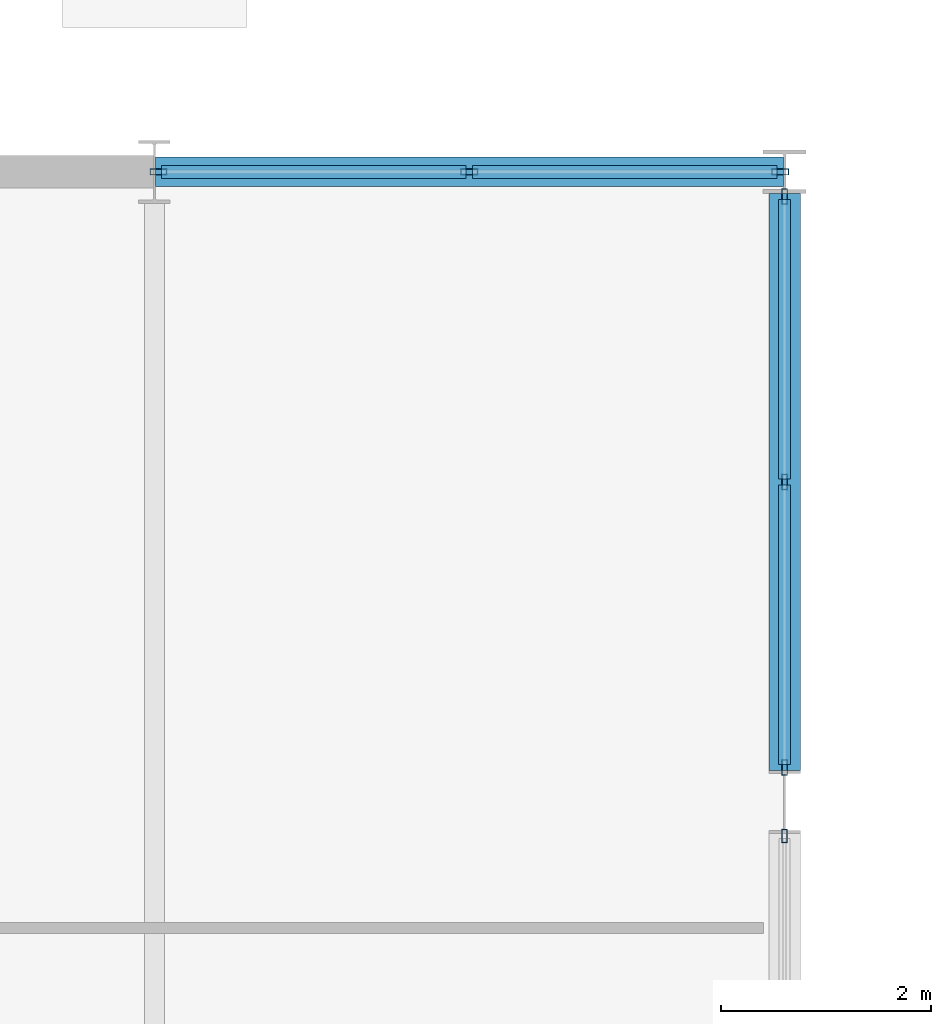
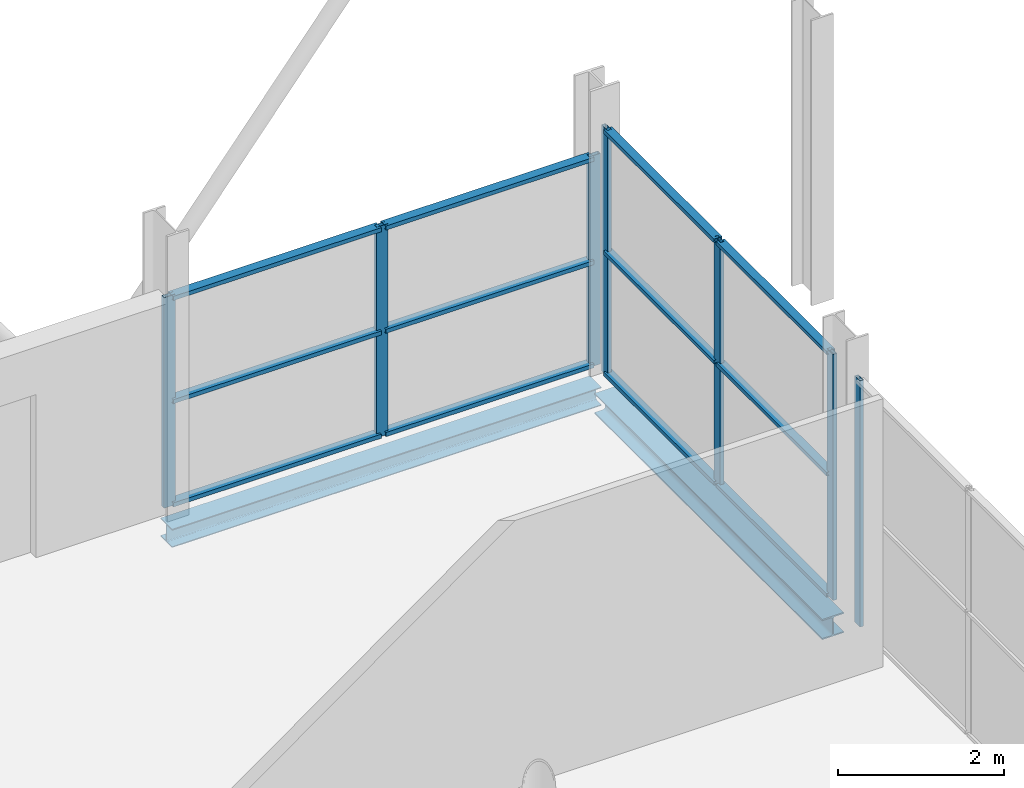
# One storey, part 51 of 140: 19 members, 2 beams, 3 elements without a shape of their own.
"""IFC4 building model written with IfcOpenShell, lengths in metres."""

from ifc_helpers import new_model, si_unit, direction, frame, origin, origin_2d, place, context, subcontext, project, spatial, hollow_rectangle, i_section, extrude, material, layer, layer_set, material_profile, profile_set, type_object, element, aggregate, save


model = new_model("IFC4")

# Units and contexts
model_context = context("Model", 3, precision=1e-05, world=origin(), true_north=direction((0.0, 1.0)))
body_context = subcontext(model_context, "Body", "Model", "MODEL_VIEW")
ifc_project = project(units=[si_unit("LENGTHUNIT", "METRE"), si_unit("AREAUNIT", "SQUARE_METRE"), si_unit("VOLUMEUNIT", "CUBIC_METRE"), si_unit("PLANEANGLEUNIT", "RADIAN"), si_unit("MASSUNIT", "GRAM", prefix="KILO")], contexts=[model_context])

# Site, building, storey
site_placement = place(None, origin())
site = spatial("IfcSite", under=ifc_project, at=site_placement, CompositionType="ELEMENT")
building_placement = place(site_placement, origin())
building = spatial("IfcBuilding", under=site, at=building_placement, Name="Deido Ridge Mobility Hub", CompositionType="ELEMENT")
storey_placement = place(building_placement, origin())
storey = spatial("IfcBuildingStorey", under=building, at=storey_placement, Name="L00", CompositionType="ELEMENT", Elevation=0.0)

# Curtain wall, member
ifc_material_1 = material(Name="Anodised aluminium EN AW-6063 T6", Category="aluminium")
ifc_layer_1 = layer(ifc_material_1, 0.179931640625, Name="Anodised aluminium EN AW-6063 T6")
ifc_layer_set_1 = layer_set([ifc_layer_1], Name="Anodised aluminium EN AW-6063 T6")
curtain_wall_type_1 = type_object("IfcCurtainWallType", Name="CW-UF-2", PredefinedType="USERDEFINED", material=ifc_layer_set_1)
curtain_wall_1_placement = place(storey_placement, origin())
curtain_wall_1 = element("IfcCurtainWall", 1, at=curtain_wall_1_placement, inside=storey, type_object=curtain_wall_type_1, Name="Unitised curtain wall CW2", ObjectType="UNITISED FACADE", PredefinedType="USERDEFINED")
ifc_material_profile_1 = material_profile(ifc_material_1, hollow_rectangle(XDim=0.050048828125, YDim=0.1298828125, WallThickness=0.00390625, at=origin_2d()), Name="RHS 50x130x4")
ifc_profile_set_1 = profile_set([ifc_material_profile_1], Name="Anodised aluminium EN AW-6063 T6")
member_type_1 = type_object("IfcMemberType", Name="MEM-MUL-50X130", PredefinedType="MULLION", material=ifc_profile_set_1)
member_1_placement = place(storey_placement, frame((60.0, 29.675048828125, 0.0), z_axis=(0.0, 0.0, 1.0), x_axis=(-1.0, 0.0, 0.0)))
member_1 = element("IfcMember", 2, at=member_1_placement, type_object=member_type_1, Name="CW2 mullion 3", PredefinedType="MULLION", context=body_context, shape_type="SweptSolid", body=[
    extrude(hollow_rectangle(XDim=0.050048828125, YDim=0.1298828125, WallThickness=0.00390625, at=origin_2d()), origin(), (0.0, 0.0, 1.0), 3.625),
])
aggregate(curtain_wall_1, [member_1])

# Curtain wall, members
ifc_layer_2 = layer(ifc_material_1, 0.195068359375, Name="Anodised aluminium EN AW-6063 T6")
ifc_layer_set_2 = layer_set([ifc_layer_2], Name="Anodised aluminium EN AW-6063 T6")
curtain_wall_type_2 = type_object("IfcCurtainWallType", Name="CW-UF-3", PredefinedType="USERDEFINED", material=ifc_layer_set_2)
curtain_wall_2_placement = place(storey_placement, origin())
curtain_wall_2 = element("IfcCurtainWall", 3, at=curtain_wall_2_placement, inside=storey, type_object=curtain_wall_type_2, Name="Unitised curtain wall CW3", ObjectType="UNITISED FACADE", PredefinedType="USERDEFINED")
ifc_material_profile_2 = material_profile(ifc_material_1, hollow_rectangle(XDim=0.054931640625, YDim=0.14501953125, WallThickness=0.00390625, at=origin_2d()), Name="RHS 55x145x4")
ifc_profile_set_2 = profile_set([ifc_material_profile_2], Name="Anodised aluminium EN AW-6063 T6")
member_type_2 = type_object("IfcMemberType", Name="MEM-MUL-55X145", PredefinedType="MULLION", material=ifc_profile_set_2)
member_2_placement = place(storey_placement, frame((60.0, 30.327392578125, 0.0), z_axis=(0.0, 0.0, 1.0), x_axis=(-1.0, 0.0, 0.0)))
member_2 = element("IfcMember", 4, at=member_2_placement, type_object=member_type_2, Name="CW3 mullion 1", PredefinedType="MULLION", context=body_context, shape_type="SweptSolid", body=[
    extrude(hollow_rectangle(XDim=0.054931640625, YDim=0.14501953125, WallThickness=0.00390625, at=origin_2d()), origin(), (0.0, 0.0, 1.0), 3.625),
])
member_3_placement = place(storey_placement, frame((60.0, 33.0458984375, 0.0), z_axis=(0.0, 0.0, 1.0), x_axis=(-1.0, 0.0, 0.0)))
member_3 = element("IfcMember", 5, at=member_3_placement, type_object=member_type_2, Name="CW3 mullion 2", PredefinedType="MULLION", context=body_context, shape_type="SweptSolid", body=[
    extrude(hollow_rectangle(XDim=0.054931640625, YDim=0.14501953125, WallThickness=0.00390625, at=origin_2d()), origin(), (0.0, 0.0, 1.0), 3.625),
])
member_4_placement = place(storey_placement, frame((60.0, 35.764404296875, 0.0), z_axis=(0.0, 0.0, 1.0), x_axis=(-1.0, 0.0, 0.0)))
member_4 = element("IfcMember", 6, at=member_4_placement, type_object=member_type_2, Name="CW3 mullion 3", PredefinedType="MULLION", context=body_context, shape_type="SweptSolid", body=[
    extrude(hollow_rectangle(XDim=0.054931640625, YDim=0.14501953125, WallThickness=0.00390625, at=origin_2d()), origin(), (0.0, 0.0, 1.0), 3.625),
])

ifc_layer_3 = layer(ifc_material_1, 0.14404296875, Name="Anodised aluminium EN AW-6063 T6")
ifc_layer_set_3 = layer_set([ifc_layer_3], Name="Anodised aluminium EN AW-6063 T6")
curtain_wall_type_3 = type_object("IfcCurtainWallType", Name="CW-GS-2", PredefinedType="USERDEFINED", material=ifc_layer_set_3)
curtain_wall_3_placement = place(storey_placement, origin())
curtain_wall_3 = element("IfcCurtainWall", 7, at=curtain_wall_3_placement, inside=storey, type_object=curtain_wall_type_3, Name="Unitised curtain wall GS2", ObjectType="GLAZED SCREEN", PredefinedType="USERDEFINED")
ifc_material_profile_3 = material_profile(ifc_material_1, hollow_rectangle(XDim=0.06005859375, YDim=0.159912109375, WallThickness=0.00390625, at=origin_2d()), Name="RHS 60x160x4")
ifc_profile_set_3 = profile_set([ifc_material_profile_3], Name="Anodised aluminium EN AW-6063 T6")
member_type_3 = type_object("IfcMemberType", Name="MEM-MUL-60X160", PredefinedType="MULLION", material=ifc_profile_set_3)
member_5_placement = place(storey_placement, frame((54.037841796875, 36.0, 0.0), z_axis=(0.0, 0.0, 1.0), x_axis=(0.0, 1.0, 0.0)))
member_5 = element("IfcMember", 8, at=member_5_placement, type_object=member_type_3, Name="GS2 mullion 1", PredefinedType="MULLION", context=body_context, shape_type="SweptSolid", body=[
    extrude(hollow_rectangle(XDim=0.06005859375, YDim=0.159912109375, WallThickness=0.00390625, at=origin_2d()), origin(), (0.0, 0.0, 1.0), 3.10009765625),
])
member_6_placement = place(storey_placement, frame((56.997802734375, 36.0, 0.0), z_axis=(0.0, 0.0, 1.0), x_axis=(0.0, 1.0, 0.0)))
member_6 = element("IfcMember", 9, at=member_6_placement, type_object=member_type_3, Name="GS2 mullion 2", PredefinedType="MULLION", context=body_context, shape_type="SweptSolid", body=[
    extrude(hollow_rectangle(XDim=0.06005859375, YDim=0.159912109375, WallThickness=0.00390625, at=origin_2d()), origin(), (0.0, 0.0, 1.0), 3.10009765625),
])
member_7_placement = place(storey_placement, frame((59.9580078125, 36.0, 0.0), z_axis=(0.0, 0.0, 1.0), x_axis=(0.0, 1.0, 0.0)))
member_7 = element("IfcMember", 10, at=member_7_placement, type_object=member_type_3, Name="GS2 mullion 3", PredefinedType="MULLION", context=body_context, shape_type="SweptSolid", body=[
    extrude(hollow_rectangle(XDim=0.06005859375, YDim=0.159912109375, WallThickness=0.00390625, at=origin_2d()), origin(), (0.0, 0.0, 1.0), 3.10009765625),
])

# Member
ifc_material_profile_4 = material_profile(ifc_material_1, hollow_rectangle(XDim=0.114990234375, YDim=0.054931640625, WallThickness=0.00390625, at=origin_2d()), Name="RHS 115x55x4")
ifc_profile_set_4 = profile_set([ifc_material_profile_4], Name="Anodised aluminium EN AW-6063 T6")
member_type_4 = type_object("IfcMemberType", Name="MEM-TRN-115X55", PredefinedType="USERDEFINED", material=ifc_profile_set_4)
member_8_placement = place(storey_placement, frame((60.0, 30.35498046875, 0.027587890625), z_axis=(0.0, 1.0, 0.0), x_axis=(-1.0, 0.0, 0.0)))
member_8 = element("IfcMember", 11, at=member_8_placement, type_object=member_type_4, Name="CW3 transom 1.1", ObjectType="TRANSOM", PredefinedType="USERDEFINED", context=body_context, shape_type="SweptSolid", body=[
    extrude(hollow_rectangle(XDim=0.114990234375, YDim=0.054931640625, WallThickness=0.00390625, at=origin_2d()), origin(), (0.0, 0.0, 1.0), 2.66357421875),
])

member_9_placement = place(storey_placement, frame((60.0, 30.35498046875, 1.8125), z_axis=(0.0, 1.0, 0.0), x_axis=(-1.0, 0.0, 0.0)))
member_9 = element("IfcMember", 12, at=member_9_placement, type_object=member_type_4, Name="CW3 transom 1.2", ObjectType="TRANSOM", PredefinedType="USERDEFINED", context=body_context, shape_type="SweptSolid", body=[
    extrude(hollow_rectangle(XDim=0.114990234375, YDim=0.054931640625, WallThickness=0.00390625, at=origin_2d()), origin(), (0.0, 0.0, 1.0), 2.66357421875),
])

member_10_placement = place(storey_placement, frame((60.0, 30.35498046875, 3.597412109375), z_axis=(0.0, 1.0, 0.0), x_axis=(-1.0, 0.0, 0.0)))
member_10 = element("IfcMember", 13, at=member_10_placement, type_object=member_type_4, Name="CW3 transom 1.3", ObjectType="TRANSOM", PredefinedType="USERDEFINED", context=body_context, shape_type="SweptSolid", body=[
    extrude(hollow_rectangle(XDim=0.114990234375, YDim=0.054931640625, WallThickness=0.00390625, at=origin_2d()), origin(), (0.0, 0.0, 1.0), 2.66357421875),
])

member_11_placement = place(storey_placement, frame((60.0, 33.073486328125, 0.027587890625), z_axis=(0.0, 1.0, 0.0), x_axis=(-1.0, 0.0, 0.0)))
member_11 = element("IfcMember", 14, at=member_11_placement, type_object=member_type_4, Name="CW3 transom 2.1", ObjectType="TRANSOM", PredefinedType="USERDEFINED", context=body_context, shape_type="SweptSolid", body=[
    extrude(hollow_rectangle(XDim=0.114990234375, YDim=0.054931640625, WallThickness=0.00390625, at=origin_2d()), origin(), (0.0, 0.0, 1.0), 2.66357421875),
])

member_12_placement = place(storey_placement, frame((60.0, 33.073486328125, 1.8125), z_axis=(0.0, 1.0, 0.0), x_axis=(-1.0, 0.0, 0.0)))
member_12 = element("IfcMember", 15, at=member_12_placement, type_object=member_type_4, Name="CW3 transom 2.2", ObjectType="TRANSOM", PredefinedType="USERDEFINED", context=body_context, shape_type="SweptSolid", body=[
    extrude(hollow_rectangle(XDim=0.114990234375, YDim=0.054931640625, WallThickness=0.00390625, at=origin_2d()), origin(), (0.0, 0.0, 1.0), 2.66357421875),
])

member_13_placement = place(storey_placement, frame((60.0, 33.073486328125, 3.597412109375), z_axis=(0.0, 1.0, 0.0), x_axis=(-1.0, 0.0, 0.0)))
member_13 = element("IfcMember", 16, at=member_13_placement, type_object=member_type_4, Name="CW3 transom 2.3", ObjectType="TRANSOM", PredefinedType="USERDEFINED", context=body_context, shape_type="SweptSolid", body=[
    extrude(hollow_rectangle(XDim=0.114990234375, YDim=0.054931640625, WallThickness=0.00390625, at=origin_2d()), origin(), (0.0, 0.0, 1.0), 2.66357421875),
])

aggregate(curtain_wall_2, [member_2, member_3, member_4, member_8, member_9, member_10, member_11, member_12, member_13])

ifc_material_profile_5 = material_profile(ifc_material_1, hollow_rectangle(XDim=0.125, YDim=0.06005859375, WallThickness=0.00390625, at=origin_2d()), Name="RHS 125x60x4")
ifc_profile_set_5 = profile_set([ifc_material_profile_5], Name="Anodised aluminium EN AW-6063 T6")
member_type_5 = type_object("IfcMemberType", Name="MEM-TRN-125X60", PredefinedType="USERDEFINED", material=ifc_profile_set_5)
member_14_placement = place(storey_placement, frame((54.06787109375, 36.0, 0.030029296875), z_axis=(1.0, 0.0, 0.0), x_axis=(0.0, 1.0, 0.0)))
member_14 = element("IfcMember", 17, at=member_14_placement, type_object=member_type_5, Name="GS2 transom 1.1", ObjectType="TRANSOM", PredefinedType="USERDEFINED", context=body_context, shape_type="SweptSolid", body=[
    extrude(hollow_rectangle(XDim=0.125, YDim=0.06005859375, WallThickness=0.00390625, at=origin_2d()), origin(), (0.0, 0.0, 1.0), 2.900146484375),
])

member_15_placement = place(storey_placement, frame((54.06787109375, 36.0, 1.550048828125), z_axis=(1.0, 0.0, 0.0), x_axis=(0.0, 1.0, 0.0)))
member_15 = element("IfcMember", 18, at=member_15_placement, type_object=member_type_5, Name="GS2 transom 1.2", ObjectType="TRANSOM", PredefinedType="USERDEFINED", context=body_context, shape_type="SweptSolid", body=[
    extrude(hollow_rectangle(XDim=0.125, YDim=0.06005859375, WallThickness=0.00390625, at=origin_2d()), origin(), (0.0, 0.0, 1.0), 2.900146484375),
])

member_16_placement = place(storey_placement, frame((54.06787109375, 36.0, 3.070068359375), z_axis=(1.0, 0.0, 0.0), x_axis=(0.0, 1.0, 0.0)))
member_16 = element("IfcMember", 19, at=member_16_placement, type_object=member_type_5, Name="GS2 transom 1.3", ObjectType="TRANSOM", PredefinedType="USERDEFINED", context=body_context, shape_type="SweptSolid", body=[
    extrude(hollow_rectangle(XDim=0.125, YDim=0.06005859375, WallThickness=0.00390625, at=origin_2d()), origin(), (0.0, 0.0, 1.0), 2.900146484375),
])

member_17_placement = place(storey_placement, frame((57.02783203125, 36.0, 0.030029296875), z_axis=(1.0, 0.0, 0.0), x_axis=(0.0, 1.0, 0.0)))
member_17 = element("IfcMember", 20, at=member_17_placement, type_object=member_type_5, Name="GS2 transom 2.1", ObjectType="TRANSOM", PredefinedType="USERDEFINED", context=body_context, shape_type="SweptSolid", body=[
    extrude(hollow_rectangle(XDim=0.125, YDim=0.06005859375, WallThickness=0.00390625, at=origin_2d()), origin(), (0.0, 0.0, 1.0), 2.900146484375),
])

member_18_placement = place(storey_placement, frame((57.02783203125, 36.0, 1.550048828125), z_axis=(1.0, 0.0, 0.0), x_axis=(0.0, 1.0, 0.0)))
member_18 = element("IfcMember", 21, at=member_18_placement, type_object=member_type_5, Name="GS2 transom 2.2", ObjectType="TRANSOM", PredefinedType="USERDEFINED", context=body_context, shape_type="SweptSolid", body=[
    extrude(hollow_rectangle(XDim=0.125, YDim=0.06005859375, WallThickness=0.00390625, at=origin_2d()), origin(), (0.0, 0.0, 1.0), 2.900146484375),
])

member_19_placement = place(storey_placement, frame((57.02783203125, 36.0, 3.070068359375), z_axis=(1.0, 0.0, 0.0), x_axis=(0.0, 1.0, 0.0)))
member_19 = element("IfcMember", 22, at=member_19_placement, type_object=member_type_5, Name="GS2 transom 2.3", ObjectType="TRANSOM", PredefinedType="USERDEFINED", context=body_context, shape_type="SweptSolid", body=[
    extrude(hollow_rectangle(XDim=0.125, YDim=0.06005859375, WallThickness=0.00390625, at=origin_2d()), origin(), (0.0, 0.0, 1.0), 2.900146484375),
])

aggregate(curtain_wall_3, [member_5, member_6, member_7, member_14, member_15, member_16, member_17, member_18, member_19])

# Beams
ifc_material_2 = material(Name="Steel S355J2 EN 10025-2", Category="steel")
ifc_material_profile_6 = material_profile(ifc_material_2, i_section(OverallWidth=0.280029296875, OverallDepth=0.27001953125, WebThickness=0.008056640625, FlangeThickness=0.012939453125, FilletRadius=0.02392578125, at=origin_2d()), Name="HEA 280")
ifc_profile_set_6 = profile_set([ifc_material_profile_6], Name="Steel S355J2 EN 10025-2")
beam_type_1 = type_object("IfcBeamType", Name="SPD-HEA280", PredefinedType="SPANDREL", material=ifc_profile_set_6)
beam_1_placement = place(storey_placement, frame((54.0078125, 36.0, -0.39501953125), z_axis=(1.0, 0.0, 0.0), x_axis=(0.0, 1.0, 0.0)))
element("IfcBeam", 23, at=beam_1_placement, inside=storey, type_object=beam_type_1, Name="Floor beam SP2", PredefinedType="SPANDREL", context=body_context, shape_type="SweptSolid", body=[
    extrude(i_section(OverallWidth=0.280029296875, OverallDepth=0.27001953125, WebThickness=0.008056640625, FlangeThickness=0.012939453125, FilletRadius=0.02392578125, at=origin_2d()), origin(), (0.0, 0.0, 1.0), 5.980224609375),
])
ifc_material_profile_7 = material_profile(ifc_material_2, i_section(OverallWidth=0.300048828125, OverallDepth=0.300048828125, WebThickness=0.010986328125, FlangeThickness=0.01904296875, FilletRadius=0.027099609375, at=origin_2d()), Name="HEB 300")
ifc_profile_set_7 = profile_set([ifc_material_profile_7], Name="Steel S355J2 EN 10025-2")
beam_type_2 = type_object("IfcBeamType", Name="SPD-HEB300", PredefinedType="SPANDREL", material=ifc_profile_set_7)
beam_2_placement = place(storey_placement, frame((60.0, 30.300048828125, -0.409912109375), z_axis=(0.0, 1.0, 0.0), x_axis=(-1.0, 0.0, 0.0)))
element("IfcBeam", 24, at=beam_2_placement, inside=storey, type_object=beam_type_2, Name="Floor beam SP1", PredefinedType="SPANDREL", context=body_context, shape_type="SweptSolid", body=[
    extrude(i_section(OverallWidth=0.300048828125, OverallDepth=0.300048828125, WebThickness=0.010986328125, FlangeThickness=0.01904296875, FilletRadius=0.027099609375, at=origin_2d()), origin(), (0.0, 0.0, 1.0), 5.491943359375),
])

save(model, "model.ifc")
